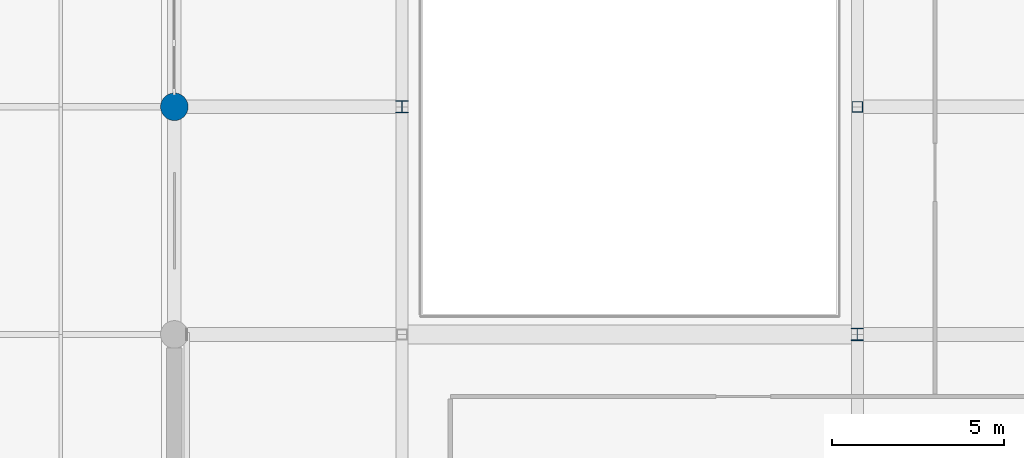
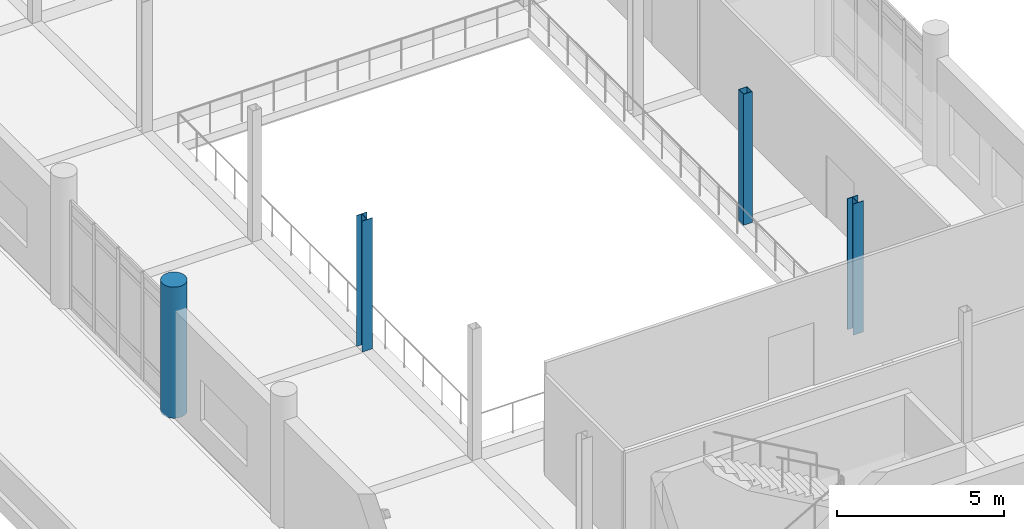
# One storey, part 3 of 125: 4 columns.
"""IFC4 building model written with IfcOpenShell, lengths in metres."""

from ifc_helpers import new_model, si_unit, direction, frame, origin, origin_2d, place, context, subcontext, project, spatial, hollow_rectangle, circle, i_section, extrude, material, material_profile, profile_set, type_object, element, save


model = new_model("IFC4")

# Units and contexts
model_context = context("Model", 3, precision=1e-05, world=origin(), true_north=direction((0.0, 1.0)))
body_context = subcontext(model_context, "Body", "Model", "MODEL_VIEW")
ifc_project = project(units=[si_unit("LENGTHUNIT", "METRE"), si_unit("AREAUNIT", "SQUARE_METRE"), si_unit("VOLUMEUNIT", "CUBIC_METRE"), si_unit("PLANEANGLEUNIT", "RADIAN"), si_unit("MASSUNIT", "GRAM", prefix="KILO")], contexts=[model_context])

# Site, building, storey
site_placement = place(None, origin())
site = spatial("IfcSite", under=ifc_project, at=site_placement, CompositionType="ELEMENT")
building_placement = place(site_placement, origin())
building = spatial("IfcBuilding", under=site, at=building_placement, Name="Dornvale Research Institute", CompositionType="ELEMENT")
storey_placement = place(building_placement, frame((0.0, 0.0, 5.39990234375)))
storey = spatial("IfcBuildingStorey", under=building, at=storey_placement, Name="L01", CompositionType="ELEMENT", Elevation=5.39990234375)

# Columns
ifc_material_1 = material(Name="Concrete f'c 45 MPa (C35/45)", Category="concrete")
ifc_material_profile_1 = material_profile(ifc_material_1, circle(Radius=0.39990234375, at=origin_2d()), Name="RC DIA 800")
ifc_profile_set_1 = profile_set([ifc_material_profile_1], Name="Concrete f'c 45 MPa (C35/45)")
column_type_1 = type_object("IfcColumnType", Name="Column_RCDia800_Ext", PredefinedType="COLUMN", material=ifc_profile_set_1)
column_1_placement = place(storey_placement, frame((39.60009765625, 59.39990234375, 0.0), z_axis=(0.0, 0.0, 1.0), x_axis=(1.0, 0.0, 0.0)))
element("IfcColumn", 1, at=column_1_placement, inside=storey, type_object=column_type_1, Name="L01 column #1053", PredefinedType="COLUMN", context=body_context, shape_type="SweptSolid", body=[
    extrude(circle(Radius=0.39990234375, at=origin_2d()), origin(), (0.0, 0.0, 1.0), 4.800048828125),
])
ifc_material_2 = material(Name="Steel ASTM A500 Grade C", Category="steel")
ifc_material_profile_2 = material_profile(ifc_material_2, hollow_rectangle(XDim=0.304931640625, YDim=0.304931640625, WallThickness=0.01171875, at=origin_2d()), Name="HSS305X305X12.7")
ifc_profile_set_2 = profile_set([ifc_material_profile_2], Name="Steel ASTM A500 Grade C")
column_type_2 = type_object("IfcColumnType", Name="Column_Steel_HSS305", PredefinedType="COLUMN", material=ifc_profile_set_2)
column_2_placement = place(storey_placement, frame((59.39990234375, 59.39990234375, 0.0), z_axis=(0.0, 0.0, 1.0), x_axis=(1.0, 0.0, 0.0)))
element("IfcColumn", 2, at=column_2_placement, inside=storey, type_object=column_type_2, Name="L01 column #1069", PredefinedType="COLUMN", context=body_context, shape_type="SweptSolid", body=[
    extrude(hollow_rectangle(XDim=0.304931640625, YDim=0.304931640625, WallThickness=0.01171875, at=origin_2d()), origin(), (0.0, 0.0, 1.0), 4.800048828125),
])
ifc_material_3 = material(Name="Steel ASTM A992 Grade 50", Category="steel")
ifc_material_profile_3 = material_profile(ifc_material_3, i_section(OverallWidth=0.35595703125, OverallDepth=0.35595703125, WebThickness=0.01123046875, FlangeThickness=0.01806640625, at=origin_2d()), Name="W14X90")
ifc_profile_set_3 = profile_set([ifc_material_profile_3], Name="Steel ASTM A992 Grade 50")
column_type_3 = type_object("IfcColumnType", Name="Column_Steel_W14X90", PredefinedType="COLUMN", material=ifc_profile_set_3)
for number, where, z_axis, x_axis, name in (
    (3, (46.199951171875, 59.39990234375, 0.0), (0.0, 0.0, 1.0), (1.0, 0.0, 0.0), "L01 column #1061"),
    (4, (59.39990234375, 52.800048828125, 0.0), (0.0, 0.0, 1.0), (1.0, 0.0, 0.0), "L01 column #1068"),
):
    element("IfcColumn", number, at=place(storey_placement, frame(where, z_axis=z_axis, x_axis=x_axis)), inside=storey, type_object=column_type_3, Name=name, PredefinedType="COLUMN", context=body_context, shape_type="SweptSolid", body=[
        extrude(i_section(OverallWidth=0.35595703125, OverallDepth=0.35595703125, WebThickness=0.01123046875, FlangeThickness=0.01806640625, at=origin_2d()), origin(), (0.0, 0.0, 1.0), 4.800048828125),
    ])

save(model, "model.ifc")
